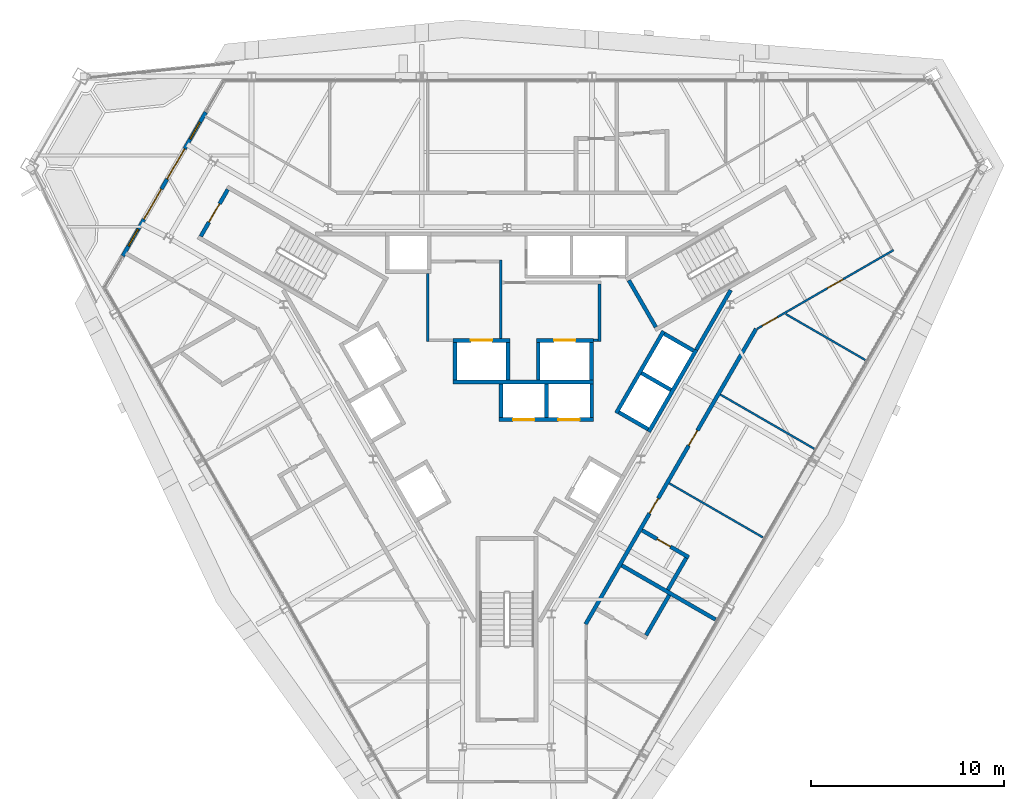
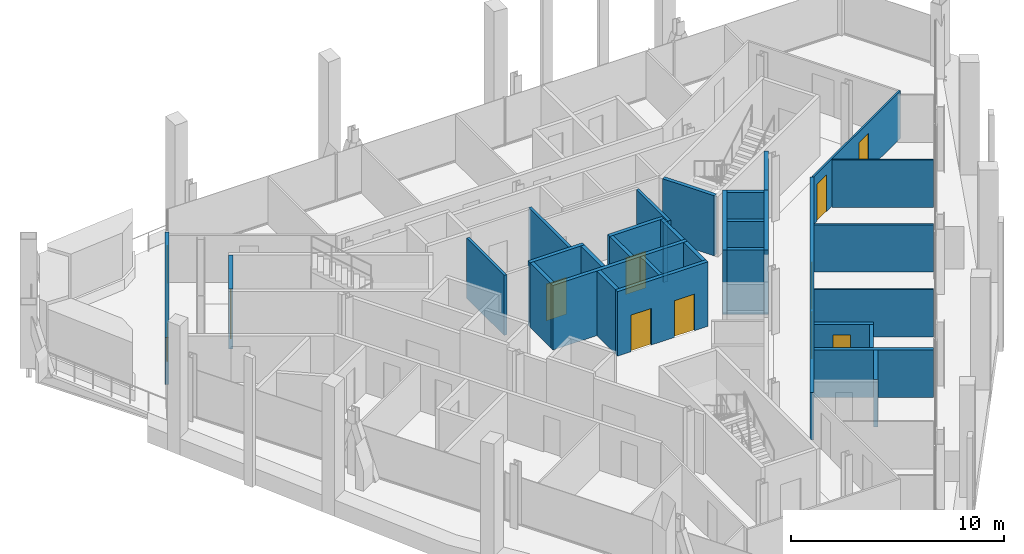
# One storey, part 10 of 14: 33 walls, 12 doors, 2 windows, 14 openings.
"""IFC4 building model written with IfcOpenShell, lengths in metres."""

from ifc_helpers import new_model, si_unit, direction, frame, frame_2d, origin, place, context, subcontext, project, spatial, rectangle, extrude, material, layer, layer_set, type_object, element, fill, save


model = new_model("IFC4")

# Units and contexts
model_context = context("Model", 3, precision=1e-05, world=origin(), true_north=direction((0.0, 1.0)))
body_context = subcontext(model_context, "Body", "Model", "MODEL_VIEW")
ifc_project = project(units=[si_unit("LENGTHUNIT", "METRE"), si_unit("AREAUNIT", "SQUARE_METRE"), si_unit("VOLUMEUNIT", "CUBIC_METRE"), si_unit("PLANEANGLEUNIT", "RADIAN"), si_unit("MASSUNIT", "GRAM", prefix="KILO")], contexts=[model_context])

# Site, building, storey
site_placement = place(None, origin())
site = spatial("IfcSite", under=ifc_project, at=site_placement, CompositionType="ELEMENT")
building_placement = place(site_placement, origin())
building = spatial("IfcBuilding", under=site, at=building_placement, Name="Verrane Prism Tower", CompositionType="ELEMENT")
storey_placement = place(building_placement, frame((0.0, 0.0, 228.60009765625)))
storey = spatial("IfcBuildingStorey", under=building, at=storey_placement, Name="L57", CompositionType="ELEMENT", Elevation=228.60009765625)

# Walls
ifc_material_1 = material(Name="Gypsum board partition", Category="other")
ifc_layer_1 = layer(ifc_material_1, 0.199951171875)
ifc_layer_set_1 = layer_set([ifc_layer_1], Name="CW-200 core boundary wall 2 h")
wall_type_1 = type_object("IfcWallType", Name="CW-200 core boundary wall 2 h", PredefinedType="PARTITIONING", material=ifc_layer_set_1)
wall_1_placement = place(storey_placement, frame((9.802978515625, 1.657958984375, 0.0), z_axis=(0.0, 0.0, 1.0), x_axis=(0.499943114462, 0.866058244174, 0.0)))
element("IfcWall", 1, at=wall_1_placement, inside=storey, type_object=wall_type_1, Name="Core boundary wall CW3-008", PredefinedType="PARTITIONING", context=body_context, shape_type="SweptSolid", body=[
    extrude(rectangle(XDim=3.57568359375, YDim=0.199951171875, at=frame_2d((1.787841796875, 0.0))), origin(), (0.0, 0.0, 1.0), 3.449951171875),
])
ifc_material_2 = material(Name="Concrete C40/50", Category="concrete")
ifc_layer_2 = layer(ifc_material_2, 0.199951171875)
ifc_layer_set_2 = layer_set([ifc_layer_2], Name="CW-200 stair core wall concrete C40/50 3 h")
wall_type_2 = type_object("IfcWallType", Name="CW-200 stair core wall concrete C40/50 3 h", PredefinedType="PARTITIONING", material=ifc_layer_set_2)
wall_2_placement = place(storey_placement, frame((7.71484375, 2.837646484375, 0.0), z_axis=(0.0, 0.0, 1.0), x_axis=(-0.500049511043, 0.865996816683, 0.0)))
element("IfcWall", 2, at=wall_2_placement, inside=storey, type_object=wall_type_2, Name="Stair 1 enclosure wall", PredefinedType="PARTITIONING", context=body_context, shape_type="SweptSolid", body=[
    extrude(rectangle(XDim=2.800048828125, YDim=0.199951171875, at=frame_2d((1.39990234375, 0.0))), origin(), (0.0, 0.0, 1.0), 3.449951171875),
])

# Wall, opening, door
wall_3_placement = place(storey_placement, frame((-14.455322265625, 9.96240234375, 0.0), z_axis=(0.0, 0.0, 1.0), x_axis=(-0.500049511043, -0.865996816683, 0.0)))
wall_3 = element("IfcWall", 3, at=wall_3_placement, inside=storey, type_object=wall_type_2, Name="Stair 2 enclosure wall", PredefinedType="PARTITIONING", context=body_context, shape_type="SweptSolid", body=[
    extrude(rectangle(XDim=2.800048828125, YDim=0.199951171875, at=frame_2d((1.39990234375, 0.0))), origin(), (0.0, 0.0, 1.0), 3.449951171875),
])
opening_1_placement = place(wall_3_placement, frame((0.849853515625, 0.0, 0.0)))
opening_1 = element("IfcOpeningElement", 4, at=opening_1_placement, cuts=wall_3, Name="Opening D57501", PredefinedType="OPENING", context=body_context, shape_type="SweptSolid", body=[
    extrude(rectangle(XDim=1.10009765625, YDim=2.10009765625, at=frame_2d((0.550048828125, 1.050048828125))), frame((0.0, 0.10986328125, 0.0), z_axis=(0.0, -1.0, 0.0), x_axis=(1.0, 0.0, 0.0)), (0.0, 0.0, 1.0), 0.219970703125),
])
ifc_material_3 = material(Name="Timber veneered door leaf", Category="wood")
door_type_1 = type_object("IfcDoorType", Name="DR-1100x2100 FD90 single leaf stair", OperationType="NOTDEFINED", PredefinedType="DOOR", material=ifc_material_3)
door_1_placement = place(opening_1_placement, origin())
door_1 = element("IfcDoor", 5, at=door_1_placement, inside=storey, type_object=door_type_1, Name="Stair 2 door", OperationType="SINGLE_SWING_RIGHT", OverallHeight=2.10009765625, OverallWidth=1.10009765625, PredefinedType="DOOR", context=body_context, shape_type="SweptSolid", body=[
    extrude(rectangle(XDim=1.10009765625, YDim=2.10009765625, at=frame_2d((0.550048828125, 1.050048828125))), frame((0.0, 0.02490234375, 0.0), z_axis=(0.0, -1.0, 0.0), x_axis=(1.0, 0.0, 0.0)), (0.0, 0.0, 1.0), 0.050048828125),
])
fill(opening_1, door_1)

# Wall, openings, doors, windows
ifc_material_4 = material(Name="Aluminium framed insulated glazing", Category="aluminium")
ifc_layer_3 = layer(ifc_material_4, 0.199951171875)
ifc_layer_set_3 = layer_set([ifc_layer_3], Name="Garden screen wall 200")
wall_type_3 = type_object("IfcWallType", Name="Garden screen wall 200", PredefinedType="SOLIDWALL", material=ifc_layer_set_3)
wall_4_placement = place(storey_placement, frame((-15.5966796875, 13.969970703125, 0.0), z_axis=(0.0, 0.0, 1.0), x_axis=(-0.500007509209, -0.866021068297, 0.0)))
wall_4 = element("IfcWall", 6, at=wall_4_placement, inside=storey, type_object=wall_type_3, Name="Garden screen wall L57", PredefinedType="SOLIDWALL", context=body_context, shape_type="SweptSolid", body=[
    extrude(rectangle(XDim=8.599853515625, YDim=0.199951171875, at=frame_2d((4.2998046875, 0.0))), origin(), (0.0, 0.0, 1.0), 2.712890625),
])
opening_2_placement = place(wall_4_placement, frame((0.60009765625, 0.0, 0.89990234375)))
opening_2 = element("IfcOpeningElement", 7, at=opening_2_placement, cuts=wall_4, Name="Opening W57701", PredefinedType="OPENING", context=body_context, shape_type="SweptSolid", body=[
    extrude(rectangle(XDim=1.0, YDim=1.5, at=frame_2d((0.5, 0.75))), frame((0.0, 0.10986328125, 0.0), z_axis=(0.0, -1.0, 0.0), x_axis=(1.0, 0.0, 0.0)), (0.0, 0.0, 1.0), 0.219970703125),
])
opening_3_placement = place(wall_4_placement, frame((2.199951171875, 0.0, 0.0)))
opening_3 = element("IfcOpeningElement", 8, at=opening_3_placement, cuts=wall_4, Name="Opening D57701", PredefinedType="OPENING", context=body_context, shape_type="SweptSolid", body=[
    extrude(rectangle(XDim=1.800048828125, YDim=2.39990234375, at=frame_2d((0.89990234375, 1.199951171875))), frame((0.0, 0.10986328125, 0.0), z_axis=(0.0, -1.0, 0.0), x_axis=(1.0, 0.0, 0.0)), (0.0, 0.0, 1.0), 0.219970703125),
])
opening_4_placement = place(wall_4_placement, frame((4.60009765625, 0.0, 0.0)))
opening_4 = element("IfcOpeningElement", 9, at=opening_4_placement, cuts=wall_4, Name="Opening D57702", PredefinedType="OPENING", context=body_context, shape_type="SweptSolid", body=[
    extrude(rectangle(XDim=1.800048828125, YDim=2.39990234375, at=frame_2d((0.89990234375, 1.199951171875))), frame((0.0, 0.10986328125, 0.0), z_axis=(0.0, -1.0, 0.0), x_axis=(1.0, 0.0, 0.0)), (0.0, 0.0, 1.0), 0.219970703125),
])
opening_5_placement = place(wall_4_placement, frame((7.0, 0.0, 0.89990234375)))
opening_5 = element("IfcOpeningElement", 10, at=opening_5_placement, cuts=wall_4, Name="Opening W57702", PredefinedType="OPENING", context=body_context, shape_type="SweptSolid", body=[
    extrude(rectangle(XDim=1.0, YDim=1.5, at=frame_2d((0.5, 0.75))), frame((0.0, 0.10986328125, 0.0), z_axis=(0.0, -1.0, 0.0), x_axis=(1.0, 0.0, 0.0)), (0.0, 0.0, 1.0), 0.219970703125),
])
ifc_material_5 = material(Name="Aluminium framed glazing", Category="aluminium")
door_type_2 = type_object("IfcDoorType", Name="DR-1800x2400 double glazed garden door", OperationType="DOUBLE_DOOR_SINGLE_SWING", PredefinedType="DOOR", material=ifc_material_5)
door_2_placement = place(opening_3_placement, frame((1.800048828125, 0.0, 0.0), z_axis=(0.0, 0.0, 1.0), x_axis=(-1.0, 0.0, 0.0)))
door_2 = element("IfcDoor", 11, at=door_2_placement, inside=storey, type_object=door_type_2, Name="Garden door D57701", OperationType="DOUBLE_DOOR_SINGLE_SWING", OverallHeight=2.39990234375, OverallWidth=1.800048828125, PredefinedType="DOOR", context=body_context, shape_type="SweptSolid", body=[
    extrude(rectangle(XDim=1.800048828125, YDim=2.39990234375, at=frame_2d((0.89990234375, 1.199951171875))), frame((0.0, 0.02490234375, 0.0), z_axis=(0.0, -1.0, 0.0), x_axis=(1.0, 0.0, 0.0)), (0.0, 0.0, 1.0), 0.050048828125),
])
fill(opening_3, door_2)
door_3_placement = place(opening_4_placement, frame((1.800048828125, 0.0, 0.0), z_axis=(0.0, 0.0, 1.0), x_axis=(-1.0, 0.0, 0.0)))
door_3 = element("IfcDoor", 12, at=door_3_placement, inside=storey, type_object=door_type_2, Name="Garden door D57702", OperationType="DOUBLE_DOOR_SINGLE_SWING", OverallHeight=2.39990234375, OverallWidth=1.800048828125, PredefinedType="DOOR", context=body_context, shape_type="SweptSolid", body=[
    extrude(rectangle(XDim=1.800048828125, YDim=2.39990234375, at=frame_2d((0.89990234375, 1.199951171875))), frame((0.0, 0.02490234375, 0.0), z_axis=(0.0, -1.0, 0.0), x_axis=(1.0, 0.0, 0.0)), (0.0, 0.0, 1.0), 0.050048828125),
])
fill(opening_4, door_3)
ifc_material_6 = material(Name="Aluminium framed glazing", Category="aluminium")
window_type = type_object("IfcWindowType", Name="Vent window 1000x1500 top hung", PartitioningType="SINGLE_PANEL", PredefinedType="WINDOW", material=ifc_material_6)
window_1_placement = place(opening_2_placement, origin())
window_1 = element("IfcWindow", 13, at=window_1_placement, inside=storey, type_object=window_type, Name="Vent window W57701", OverallHeight=1.5, OverallWidth=1.0, PartitioningType="SINGLE_PANEL", PredefinedType="WINDOW", context=body_context, shape_type="SweptSolid", body=[
    extrude(rectangle(XDim=1.0, YDim=1.5, at=frame_2d((0.5, 0.75))), frame((0.0, 0.030029296875, 0.0), z_axis=(0.0, -1.0, 0.0), x_axis=(1.0, 0.0, 0.0)), (0.0, 0.0, 1.0), 0.06005859375),
])
fill(opening_2, window_1)
window_2_placement = place(opening_5_placement, origin())
window_2 = element("IfcWindow", 14, at=window_2_placement, inside=storey, type_object=window_type, Name="Vent window W57702", OverallHeight=1.5, OverallWidth=1.0, PartitioningType="SINGLE_PANEL", PredefinedType="WINDOW", context=body_context, shape_type="SweptSolid", body=[
    extrude(rectangle(XDim=1.0, YDim=1.5, at=frame_2d((0.5, 0.75))), frame((0.0, 0.030029296875, 0.0), z_axis=(0.0, -1.0, 0.0), x_axis=(1.0, 0.0, 0.0)), (0.0, 0.0, 1.0), 0.06005859375),
])
fill(opening_5, window_2)

# Wall, openings, doors
ifc_material_7 = material(Name="Gypsum board shaft wall assembly", Category="other")
ifc_layer_4 = layer(ifc_material_7, 0.199951171875)
ifc_layer_set_4 = layer_set([ifc_layer_4], Name="HW-200 lift shaft wall 2 h")
wall_type_4 = type_object("IfcWallType", Name="HW-200 lift shaft wall 2 h", PredefinedType="PARTITIONING", material=ifc_layer_set_4)
wall_5_placement = place(storey_placement, frame((-0.405029296875, -1.949951171875, 0.0), z_axis=(0.0, 0.0, 1.0), x_axis=(1.0, 0.0, 0.0)))
wall_5 = element("IfcWall", 15, at=wall_5_placement, inside=storey, type_object=wall_type_4, Name="Lift shaft wall", PredefinedType="PARTITIONING", context=body_context, shape_type="SweptSolid", body=[
    extrude(rectangle(XDim=4.900146484375, YDim=0.199951171875, at=frame_2d((2.4501953125, 0.0))), origin(), (0.0, 0.0, 1.0), 3.699951171875),
])
opening_6_placement = place(wall_5_placement, frame((0.72509765625, 0.0, 0.0)))
opening_6 = element("IfcOpeningElement", 16, at=opening_6_placement, cuts=wall_5, Name="Opening D57503", PredefinedType="OPENING", context=body_context, shape_type="SweptSolid", body=[
    extrude(rectangle(XDim=1.10009765625, YDim=2.10009765625, at=frame_2d((0.550048828125, 1.050048828125))), frame((0.0, 0.10986328125, 0.0), z_axis=(0.0, -1.0, 0.0), x_axis=(1.0, 0.0, 0.0)), (0.0, 0.0, 1.0), 0.219970703125),
])
opening_7_placement = place(wall_5_placement, frame((3.074951171875, 0.0, 0.0)))
opening_7 = element("IfcOpeningElement", 17, at=opening_7_placement, cuts=wall_5, Name="Opening D57504", PredefinedType="OPENING", context=body_context, shape_type="SweptSolid", body=[
    extrude(rectangle(XDim=1.10009765625, YDim=2.10009765625, at=frame_2d((0.550048828125, 1.050048828125))), frame((0.0, 0.10986328125, 0.0), z_axis=(0.0, -1.0, 0.0), x_axis=(1.0, 0.0, 0.0)), (0.0, 0.0, 1.0), 0.219970703125),
])
ifc_material_8 = material(Name="Stainless steel sliding landing door", Category="steel")
door_type_3 = type_object("IfcDoorType", Name="LD-1100x2100 lift landing door FD90 sliding", OperationType="NOTDEFINED", PredefinedType="DOOR", material=ifc_material_8)
door_4_placement = place(opening_6_placement, origin())
door_4 = element("IfcDoor", 18, at=door_4_placement, inside=storey, type_object=door_type_3, Name="Bank B lift 1 landing door", OperationType="SLIDING_TO_LEFT", OverallHeight=2.10009765625, OverallWidth=1.10009765625, PredefinedType="DOOR", context=body_context, shape_type="SweptSolid", body=[
    extrude(rectangle(XDim=1.10009765625, YDim=2.10009765625, at=frame_2d((0.550048828125, 1.050048828125))), frame((0.0, 0.02490234375, 0.0), z_axis=(0.0, -1.0, 0.0), x_axis=(1.0, 0.0, 0.0)), (0.0, 0.0, 1.0), 0.050048828125),
])
fill(opening_6, door_4)
door_5_placement = place(opening_7_placement, origin())
door_5 = element("IfcDoor", 19, at=door_5_placement, inside=storey, type_object=door_type_3, Name="Bank B lift 2 landing door", OperationType="SLIDING_TO_RIGHT", OverallHeight=2.10009765625, OverallWidth=1.10009765625, PredefinedType="DOOR", context=body_context, shape_type="SweptSolid", body=[
    extrude(rectangle(XDim=1.10009765625, YDim=2.10009765625, at=frame_2d((0.550048828125, 1.050048828125))), frame((0.0, 0.02490234375, 0.0), z_axis=(0.0, -1.0, 0.0), x_axis=(1.0, 0.0, 0.0)), (0.0, 0.0, 1.0), 0.050048828125),
])
fill(opening_7, door_5)

# Wall
wall_6_placement = place(storey_placement, frame((-2.784912109375, 0.0, 0.0), z_axis=(0.0, 0.0, 1.0), x_axis=(1.0, 0.0, 0.0)))
element("IfcWall", 20, at=wall_6_placement, inside=storey, type_object=wall_type_4, Name="Lift shaft wall", PredefinedType="PARTITIONING", context=body_context, shape_type="SweptSolid", body=[
    extrude(rectangle(XDim=7.280029296875, YDim=0.199951171875, at=frame_2d((3.64013671875, 0.0))), origin(), (0.0, 0.0, 1.0), 3.699951171875),
])

# Wall, opening, door
wall_7_placement = place(storey_placement, frame((-2.784912109375, 2.14990234375, 0.0), z_axis=(0.0, 0.0, 1.0), x_axis=(1.0, 0.0, 0.0)))
wall_7 = element("IfcWall", 21, at=wall_7_placement, inside=storey, type_object=wall_type_4, Name="Lift shaft wall", PredefinedType="PARTITIONING", context=body_context, shape_type="SweptSolid", body=[
    extrude(rectangle(XDim=2.949951171875, YDim=0.199951171875, at=frame_2d((1.47509765625, 0.0))), origin(), (0.0, 0.0, 1.0), 3.699951171875),
])
opening_8_placement = place(wall_7_placement, frame((0.925048828125, 0.0, 0.0)))
opening_8 = element("IfcOpeningElement", 22, at=opening_8_placement, cuts=wall_7, Name="Opening D57507", PredefinedType="OPENING", context=body_context, shape_type="SweptSolid", body=[
    extrude(rectangle(XDim=1.10009765625, YDim=2.10009765625, at=frame_2d((0.550048828125, 1.050048828125))), frame((0.0, 0.10986328125, 0.0), z_axis=(0.0, -1.0, 0.0), x_axis=(1.0, 0.0, 0.0)), (0.0, 0.0, 1.0), 0.219970703125),
])
door_6_placement = place(opening_8_placement, origin())
door_6 = element("IfcDoor", 23, at=door_6_placement, inside=storey, type_object=door_type_3, Name="Fire service lift 1 landing door", OperationType="SLIDING_TO_LEFT", OverallHeight=2.10009765625, OverallWidth=1.10009765625, PredefinedType="DOOR", context=body_context, shape_type="SweptSolid", body=[
    extrude(rectangle(XDim=1.10009765625, YDim=2.10009765625, at=frame_2d((0.550048828125, 1.050048828125))), frame((0.0, 0.02490234375, 0.0), z_axis=(0.0, -1.0, 0.0), x_axis=(1.0, 0.0, 0.0)), (0.0, 0.0, 1.0), 0.050048828125),
])
fill(opening_8, door_6)

wall_8_placement = place(storey_placement, frame((1.52490234375, 2.14990234375, 0.0), z_axis=(0.0, 0.0, 1.0), x_axis=(1.0, 0.0, 0.0)))
wall_8 = element("IfcWall", 24, at=wall_8_placement, inside=storey, type_object=wall_type_4, Name="Lift shaft wall", PredefinedType="PARTITIONING", context=body_context, shape_type="SweptSolid", body=[
    extrude(rectangle(XDim=2.9501953125, YDim=0.199951171875, at=frame_2d((1.47509765625, 0.0))), origin(), (0.0, 0.0, 1.0), 3.699951171875),
])
opening_9_placement = place(wall_8_placement, frame((0.925048828125, 0.0, 0.0)))
opening_9 = element("IfcOpeningElement", 25, at=opening_9_placement, cuts=wall_8, Name="Opening D57508", PredefinedType="OPENING", context=body_context, shape_type="SweptSolid", body=[
    extrude(rectangle(XDim=1.10009765625, YDim=2.10009765625, at=frame_2d((0.550048828125, 1.050048828125))), frame((0.0, 0.10986328125, 0.0), z_axis=(0.0, -1.0, 0.0), x_axis=(1.0, 0.0, 0.0)), (0.0, 0.0, 1.0), 0.219970703125),
])
door_7_placement = place(opening_9_placement, origin())
door_7 = element("IfcDoor", 26, at=door_7_placement, inside=storey, type_object=door_type_3, Name="Fire service lift 2 landing door", OperationType="SLIDING_TO_RIGHT", OverallHeight=2.10009765625, OverallWidth=1.10009765625, PredefinedType="DOOR", context=body_context, shape_type="SweptSolid", body=[
    extrude(rectangle(XDim=1.10009765625, YDim=2.10009765625, at=frame_2d((0.550048828125, 1.050048828125))), frame((0.0, 0.02490234375, 0.0), z_axis=(0.0, -1.0, 0.0), x_axis=(1.0, 0.0, 0.0)), (0.0, 0.0, 1.0), 0.050048828125),
])
fill(opening_9, door_7)

# Walls
wall_9_placement = place(storey_placement, frame((7.351318359375, -2.587158203125, 0.0), z_axis=(0.0, 0.0, 1.0), x_axis=(0.500002801628, 0.866023786258, 0.0)))
element("IfcWall", 27, at=wall_9_placement, inside=storey, type_object=wall_type_4, Name="Lift shaft wall", PredefinedType="PARTITIONING", context=body_context, shape_type="SweptSolid", body=[
    extrude(rectangle(XDim=4.89990234375, YDim=0.199951171875, at=frame_2d((2.449951171875, 0.0))), origin(), (0.0, 0.0, 1.0), 3.699951171875),
])
wall_10_placement = place(storey_placement, frame((5.66259765625, -1.6123046875, 0.0), z_axis=(0.0, 0.0, 1.0), x_axis=(0.49998122708, 0.866036242063, 0.0)))
element("IfcWall", 28, at=wall_10_placement, inside=storey, type_object=wall_type_4, Name="Lift shaft wall", PredefinedType="PARTITIONING", context=body_context, shape_type="SweptSolid", body=[
    extrude(rectangle(XDim=4.900146484375, YDim=0.199951171875, at=frame_2d((2.4501953125, 0.0))), origin(), (0.0, 0.0, 1.0), 3.699951171875),
])
wall_11_placement = place(storey_placement, frame((4.39501953125, -1.85009765625, 0.0), z_axis=(0.0, 0.0, 1.0), x_axis=(0.0, 1.0, 0.0)))
element("IfcWall", 29, at=wall_11_placement, inside=storey, type_object=wall_type_4, Name="Lift shaft wall", PredefinedType="PARTITIONING", context=body_context, shape_type="SweptSolid", body=[
    extrude(rectangle(XDim=1.75, YDim=0.199951171875, at=frame_2d((0.875, 0.0))), origin(), (0.0, 0.0, 1.0), 3.699951171875),
])
wall_12_placement = place(storey_placement, frame((4.375, 0.10009765625, 0.0), z_axis=(0.0, 0.0, 1.0), x_axis=(0.0, 1.0, 0.0)))
element("IfcWall", 30, at=wall_12_placement, inside=storey, type_object=wall_type_4, Name="Lift shaft wall", PredefinedType="PARTITIONING", context=body_context, shape_type="SweptSolid", body=[
    extrude(rectangle(XDim=1.949951171875, YDim=0.199951171875, at=frame_2d((0.97509765625, 0.0))), origin(), (0.0, 0.0, 1.0), 3.699951171875),
])
wall_13_placement = place(storey_placement, frame((2.044921875, -1.85009765625, 0.0), z_axis=(0.0, 0.0, 1.0), x_axis=(0.0, 1.0, 0.0)))
element("IfcWall", 31, at=wall_13_placement, inside=storey, type_object=wall_type_4, Name="Lift shaft wall", PredefinedType="PARTITIONING", context=body_context, shape_type="SweptSolid", body=[
    extrude(rectangle(XDim=1.75, YDim=0.199951171875, at=frame_2d((0.875, 0.0))), origin(), (0.0, 0.0, 1.0), 3.699951171875),
])
for number, where, z_axis, x_axis, name in (
    (32, (1.625, 0.10009765625, 0.0), (0.0, 0.0, 1.0), (0.0, 1.0, 0.0), "Lift shaft wall"),
    (33, (0.06494140625, 0.10009765625, 0.0), (0.0, 0.0, 1.0), (0.0, 1.0, 0.0), "Lift shaft wall"),
):
    element("IfcWall", number, at=place(storey_placement, frame(where, z_axis=z_axis, x_axis=x_axis)), inside=storey, type_object=wall_type_4, Name=name, PredefinedType="PARTITIONING", context=body_context, shape_type="SweptSolid", body=[
        extrude(rectangle(XDim=1.949951171875, YDim=0.199951171875, at=frame_2d((0.97509765625, 0.0))), origin(), (0.0, 0.0, 1.0), 3.699951171875),
    ])
wall_14_placement = place(storey_placement, frame((-0.304931640625, -1.85009765625, 0.0), z_axis=(0.0, 0.0, 1.0), x_axis=(0.0, 1.0, 0.0)))
element("IfcWall", 34, at=wall_14_placement, inside=storey, type_object=wall_type_4, Name="Lift shaft wall", PredefinedType="PARTITIONING", context=body_context, shape_type="SweptSolid", body=[
    extrude(rectangle(XDim=1.75, YDim=0.199951171875, at=frame_2d((0.875, 0.0))), origin(), (0.0, 0.0, 1.0), 3.699951171875),
])
wall_15_placement = place(storey_placement, frame((-2.68505859375, 0.10009765625, 0.0), z_axis=(0.0, 0.0, 1.0), x_axis=(0.0, 1.0, 0.0)))
element("IfcWall", 35, at=wall_15_placement, inside=storey, type_object=wall_type_4, Name="Lift shaft wall", PredefinedType="PARTITIONING", context=body_context, shape_type="SweptSolid", body=[
    extrude(rectangle(XDim=1.949951171875, YDim=0.199951171875, at=frame_2d((0.97509765625, 0.0))), origin(), (0.0, 0.0, 1.0), 3.699951171875),
])
wall_16_placement = place(storey_placement, frame((9.66455078125, 1.61962890625, 0.0), z_axis=(0.0, 0.0, 1.0), x_axis=(-0.866002029911, 0.500040482552, 0.0)))
element("IfcWall", 36, at=wall_16_placement, inside=storey, type_object=wall_type_4, Name="Lift shaft wall", PredefinedType="PARTITIONING", context=body_context, shape_type="SweptSolid", body=[
    extrude(rectangle(XDim=1.749755859375, YDim=0.199951171875, at=frame_2d((0.875, 0.0))), origin(), (0.0, 0.0, 1.0), 3.699951171875),
])
for number, where, z_axis, x_axis, name in (
    (37, (8.48974609375, -0.41552734375, 0.0), (0.0, 0.0, 1.0), (-0.866036909293, 0.499980071345, 0.0), "Lift shaft wall"),
    (38, (7.314697265625, -2.45068359375, 0.0), (0.0, 0.0, 1.0), (-0.866036909293, 0.499980071345, 0.0), "Lift shaft wall"),
):
    element("IfcWall", number, at=place(storey_placement, frame(where, z_axis=z_axis, x_axis=x_axis)), inside=storey, type_object=wall_type_4, Name=name, PredefinedType="PARTITIONING", context=body_context, shape_type="SweptSolid", body=[
        extrude(rectangle(XDim=1.75, YDim=0.199951171875, at=frame_2d((0.875, 0.0))), origin(), (0.0, 0.0, 1.0), 3.699951171875),
    ])
ifc_material_9 = material(Name="Gypsum board partition", Category="other")
ifc_layer_5 = layer(ifc_material_9, 0.14990234375)
ifc_layer_set_5 = layer_set([ifc_layer_5], Name="LF-150 firefighting lobby wall 1 h")
wall_type_5 = type_object("IfcWallType", Name="LF-150 firefighting lobby wall 1 h", PredefinedType="PARTITIONING", material=ifc_layer_set_5)
wall_17_placement = place(storey_placement, frame((-4.10009765625, 2.0849609375, 0.0), z_axis=(0.0, 0.0, 1.0), x_axis=(0.0, 1.0, 0.0)))
element("IfcWall", 39, at=wall_17_placement, inside=storey, type_object=wall_type_5, Name="Firefighting lobby wall LF1-001", PredefinedType="PARTITIONING", context=body_context, shape_type="SweptSolid", body=[
    extrude(rectangle(XDim=3.52294921875, YDim=0.14990234375, at=frame_2d((1.761474609375, 0.0))), origin(), (0.0, 0.0, 1.0), 3.449951171875),
])
wall_18_placement = place(storey_placement, frame((-0.320068359375, 2.251953125, 0.0), z_axis=(0.0, 0.0, 1.0), x_axis=(0.0, 1.0, 0.0)))
element("IfcWall", 40, at=wall_18_placement, inside=storey, type_object=wall_type_5, Name="Firefighting lobby wall LF1-004", PredefinedType="PARTITIONING", context=body_context, shape_type="SweptSolid", body=[
    extrude(rectangle(XDim=4.06298828125, YDim=0.14990234375, at=frame_2d((2.031494140625, 0.0))), origin(), (0.0, 0.0, 1.0), 3.449951171875),
])
wall_19_placement = place(storey_placement, frame((4.47705078125, 2.159912109375, 0.0), z_axis=(0.0, 0.0, 1.0), x_axis=(1.0, 0.0, 0.0)))
element("IfcWall", 41, at=wall_19_placement, inside=storey, type_object=wall_type_5, Name="Firefighting lobby wall LF1-006", PredefinedType="PARTITIONING", context=body_context, shape_type="SweptSolid", body=[
    extrude(rectangle(XDim=0.238037109375, YDim=0.14990234375, at=frame_2d((0.119140625, 0.0))), origin(), (0.0, 0.0, 1.0), 3.449951171875),
])
wall_20_placement = place(storey_placement, frame((4.7900390625, 2.0849609375, 0.0), z_axis=(0.0, 0.0, 1.0), x_axis=(0.0, 1.0, 0.0)))
element("IfcWall", 42, at=wall_20_placement, inside=storey, type_object=wall_type_5, Name="Firefighting lobby wall LF1-007", PredefinedType="PARTITIONING", context=body_context, shape_type="SweptSolid", body=[
    extrude(rectangle(XDim=2.97998046875, YDim=0.14990234375, at=frame_2d((1.489990234375, 0.0))), origin(), (0.0, 0.0, 1.0), 3.449951171875),
])
ifc_material_10 = material(Name="Gypsum board partition", Category="other")
ifc_layer_6 = layer(ifc_material_10, 0.10009765625)
ifc_layer_set_6 = layer_set([ifc_layer_6], Name="PW-100 room partition")
wall_type_6 = type_object("IfcWallType", Name="PW-100 room partition", PredefinedType="PARTITIONING", material=ifc_layer_set_6)
wall_21_placement = place(storey_placement, frame((8.406982421875, -5.25146484375, 0.0), z_axis=(0.0, 0.0, 1.0), x_axis=(0.866061432277, -0.499937591627, 0.0)))
element("IfcWall", 43, at=wall_21_placement, inside=storey, type_object=wall_type_6, Name="Room partition 034", PredefinedType="PARTITIONING", context=body_context, shape_type="SweptSolid", body=[
    extrude(rectangle(XDim=5.599365234375, YDim=0.10009765625, at=frame_2d((2.7998046875, 0.0))), origin(), (0.0, 0.0, 1.0), 2.712890625),
])
wall_22_placement = place(storey_placement, frame((11.058837890625, -0.657470703125, 0.0), z_axis=(0.0, 0.0, 1.0), x_axis=(0.866064348871, -0.499932539064, 0.0)))
element("IfcWall", 44, at=wall_22_placement, inside=storey, type_object=wall_type_6, Name="Room partition 036", PredefinedType="PARTITIONING", context=body_context, shape_type="SweptSolid", body=[
    extrude(rectangle(XDim=5.599853515625, YDim=0.10009765625, at=frame_2d((2.7998046875, 0.0))), origin(), (0.0, 0.0, 1.0), 2.712890625),
])

# Wall, openings, doors
wall_23_placement = place(storey_placement, frame((20.023193359375, 6.825927734375, 0.0), z_axis=(0.0, 0.0, 1.0), x_axis=(-0.86608949446, -0.499888975259, 0.0)))
wall_23 = element("IfcWall", 45, at=wall_23_placement, inside=storey, type_object=wall_type_6, Name="Room partition 038", PredefinedType="PARTITIONING", context=body_context, shape_type="SweptSolid", body=[
    extrude(rectangle(XDim=8.164794921875, YDim=0.10009765625, at=frame_2d((4.08251953125, 0.0))), origin(), (0.0, 0.0, 1.0), 2.712890625),
])
opening_10_placement = place(wall_23_placement, frame((6.949951171875, 0.0, 0.0)))
opening_10 = element("IfcOpeningElement", 46, at=opening_10_placement, cuts=wall_23, Name="Opening D57025", PredefinedType="OPENING", context=body_context, shape_type="SweptSolid", body=[
    extrude(rectangle(XDim=0.89990234375, YDim=2.10009765625, at=frame_2d((0.449951171875, 1.050048828125))), frame((0.0, 0.06005859375, 0.0), z_axis=(0.0, -1.0, 0.0), x_axis=(1.0, 0.0, 0.0)), (0.0, 0.0, 1.0), 0.1201171875),
])
opening_11_placement = place(wall_23_placement, frame((3.034912109375, 0.0, 0.0)))
opening_11 = element("IfcOpeningElement", 47, at=opening_11_placement, cuts=wall_23, Name="Opening D57026", PredefinedType="OPENING", context=body_context, shape_type="SweptSolid", body=[
    extrude(rectangle(XDim=0.89990234375, YDim=2.10009765625, at=frame_2d((0.449951171875, 1.050048828125))), frame((0.0, 0.06005859375, 0.0), z_axis=(0.0, -1.0, 0.0), x_axis=(1.0, 0.0, 0.0)), (0.0, 0.0, 1.0), 0.1201171875),
])
ifc_material_11 = material(Name="Timber veneered door leaf", Category="wood")
door_type_4 = type_object("IfcDoorType", Name="DR-900x2100 single leaf unit", OperationType="NOTDEFINED", PredefinedType="DOOR", material=ifc_material_11)
door_8_placement = place(opening_10_placement, origin())
door_8 = element("IfcDoor", 48, at=door_8_placement, inside=storey, type_object=door_type_4, Name="Study door", OperationType="SINGLE_SWING_RIGHT", OverallHeight=2.10009765625, OverallWidth=0.89990234375, PredefinedType="DOOR", context=body_context, shape_type="SweptSolid", body=[
    extrude(rectangle(XDim=0.89990234375, YDim=2.10009765625, at=frame_2d((0.449951171875, 1.050048828125))), frame((0.0, 0.02490234375, 0.0), z_axis=(0.0, -1.0, 0.0), x_axis=(1.0, 0.0, 0.0)), (0.0, 0.0, 1.0), 0.050048828125),
])
fill(opening_10, door_8)
door_9_placement = place(opening_11_placement, origin())
door_9 = element("IfcDoor", 49, at=door_9_placement, inside=storey, type_object=door_type_4, Name="Study door", OperationType="SINGLE_SWING_LEFT", OverallHeight=2.10009765625, OverallWidth=0.89990234375, PredefinedType="DOOR", context=body_context, shape_type="SweptSolid", body=[
    extrude(rectangle(XDim=0.89990234375, YDim=2.10009765625, at=frame_2d((0.449951171875, 1.050048828125))), frame((0.0, 0.02490234375, 0.0), z_axis=(0.0, -1.0, 0.0), x_axis=(1.0, 0.0, 0.0)), (0.0, 0.0, 1.0), 0.050048828125),
])
fill(opening_11, door_9)

# Wall
wall_24_placement = place(storey_placement, frame((14.43798828125, 3.5166015625, 0.0), z_axis=(0.0, 0.0, 1.0), x_axis=(0.866006230416, -0.500033207779, 0.0)))
element("IfcWall", 50, at=wall_24_placement, inside=storey, type_object=wall_type_6, Name="Room partition 039", PredefinedType="PARTITIONING", context=body_context, shape_type="SweptSolid", body=[
    extrude(rectangle(XDim=4.760498046875, YDim=0.10009765625, at=frame_2d((2.38037109375, 0.0))), origin(), (0.0, 0.0, 1.0), 2.712890625),
])

# Wall, openings, doors
ifc_material_12 = material(Name="Gypsum board partition", Category="other")
ifc_layer_7 = layer(ifc_material_12, 0.199951171875)
ifc_layer_set_7 = layer_set([ifc_layer_7], Name="PW-200 plumbing wall")
wall_type_7 = type_object("IfcWallType", Name="PW-200 plumbing wall", PredefinedType="PARTITIONING", material=ifc_layer_set_7)
wall_25_placement = place(storey_placement, frame((12.903076171875, 2.745361328125, 0.0), z_axis=(0.0, 0.0, 1.0), x_axis=(-0.499999743747, -0.866025551732, 0.0)))
wall_25 = element("IfcWall", 51, at=wall_25_placement, inside=storey, type_object=wall_type_7, Name="Plumbing wall 025", PredefinedType="PARTITIONING", context=body_context, shape_type="SweptSolid", body=[
    extrude(rectangle(XDim=17.65625, YDim=0.199951171875, at=frame_2d((8.828125, 0.0))), origin(), (0.0, 0.0, 1.0), 2.712890625),
])
opening_12_placement = place(wall_25_placement, frame((10.134033203125, 0.0, 0.0)))
opening_12 = element("IfcOpeningElement", 52, at=opening_12_placement, cuts=wall_25, Name="Opening D57022", PredefinedType="OPENING", context=body_context, shape_type="SweptSolid", body=[
    extrude(rectangle(XDim=0.89990234375, YDim=2.10009765625, at=frame_2d((0.449951171875, 1.050048828125))), frame((0.0, 0.10986328125, 0.0), z_axis=(0.0, -1.0, 0.0), x_axis=(1.0, 0.0, 0.0)), (0.0, 0.0, 1.0), 0.219970703125),
])
opening_13_placement = place(wall_25_placement, frame((6.072998046875, 0.0, 0.0)))
opening_13 = element("IfcOpeningElement", 53, at=opening_13_placement, cuts=wall_25, Name="Opening D57024", PredefinedType="OPENING", context=body_context, shape_type="SweptSolid", body=[
    extrude(rectangle(XDim=0.89990234375, YDim=2.10009765625, at=frame_2d((0.449951171875, 1.050048828125))), frame((0.0, 0.10986328125, 0.0), z_axis=(0.0, -1.0, 0.0), x_axis=(1.0, 0.0, 0.0)), (0.0, 0.0, 1.0), 0.219970703125),
])
ifc_material_13 = material(Name="Timber veneered door leaf", Category="wood")
door_type_5 = type_object("IfcDoorType", Name="DR-900x2100 single leaf inner", OperationType="NOTDEFINED", PredefinedType="DOOR", material=ifc_material_13)
door_10_placement = place(opening_12_placement, origin())
door_10 = element("IfcDoor", 54, at=door_10_placement, inside=storey, type_object=door_type_5, Name="Bedroom door", OperationType="SINGLE_SWING_LEFT", OverallHeight=2.10009765625, OverallWidth=0.89990234375, PredefinedType="DOOR", context=body_context, shape_type="SweptSolid", body=[
    extrude(rectangle(XDim=0.89990234375, YDim=2.10009765625, at=frame_2d((0.449951171875, 1.050048828125))), frame((0.0, 0.02490234375, 0.0), z_axis=(0.0, -1.0, 0.0), x_axis=(1.0, 0.0, 0.0)), (0.0, 0.0, 1.0), 0.050048828125),
])
fill(opening_12, door_10)
door_11_placement = place(opening_13_placement, origin())
door_11 = element("IfcDoor", 55, at=door_11_placement, inside=storey, type_object=door_type_4, Name="Study door", OperationType="SINGLE_SWING_LEFT", OverallHeight=2.10009765625, OverallWidth=0.89990234375, PredefinedType="DOOR", context=body_context, shape_type="SweptSolid", body=[
    extrude(rectangle(XDim=0.89990234375, YDim=2.10009765625, at=frame_2d((0.449951171875, 1.050048828125))), frame((0.0, 0.02490234375, 0.0), z_axis=(0.0, -1.0, 0.0), x_axis=(1.0, 0.0, 0.0)), (0.0, 0.0, 1.0), 0.050048828125),
])
fill(opening_13, door_11)

# Wall
wall_26_placement = place(storey_placement, frame((5.947509765625, -9.501953125, 0.0), z_axis=(0.0, 0.0, 1.0), x_axis=(0.866028157966, -0.499995229588, 0.0)))
element("IfcWall", 56, at=wall_26_placement, inside=storey, type_object=wall_type_7, Name="Plumbing wall 029", PredefinedType="PARTITIONING", context=body_context, shape_type="SweptSolid", body=[
    extrude(rectangle(XDim=5.60400390625, YDim=0.199951171875, at=frame_2d((2.802001953125, 0.0))), origin(), (0.0, 0.0, 1.0), 2.712890625),
])

# Wall, opening, door
wall_27_placement = place(storey_placement, frame((9.422607421875, -9.0830078125, 0.0), z_axis=(0.0, 0.0, 1.0), x_axis=(-0.866041588165, 0.499971966783, 0.0)))
wall_27 = element("IfcWall", 57, at=wall_27_placement, inside=storey, type_object=wall_type_7, Name="Plumbing wall 030", PredefinedType="PARTITIONING", context=body_context, shape_type="SweptSolid", body=[
    extrude(rectangle(XDim=2.795166015625, YDim=0.199951171875, at=frame_2d((1.3974609375, 0.0))), origin(), (0.0, 0.0, 1.0), 2.712890625),
])
opening_14_placement = place(wall_27_placement, frame((1.10009765625, 0.0, 0.0)))
opening_14 = element("IfcOpeningElement", 58, at=opening_14_placement, cuts=wall_27, Name="Opening D57023", PredefinedType="OPENING", context=body_context, shape_type="SweptSolid", body=[
    extrude(rectangle(XDim=0.800048828125, YDim=2.10009765625, at=frame_2d((0.39990234375, 1.050048828125))), frame((0.0, 0.10986328125, 0.0), z_axis=(0.0, -1.0, 0.0), x_axis=(1.0, 0.0, 0.0)), (0.0, 0.0, 1.0), 0.219970703125),
])
ifc_material_14 = material(Name="Timber veneered door leaf", Category="wood")
door_type_6 = type_object("IfcDoorType", Name="DR-800x2100 single leaf bath", OperationType="NOTDEFINED", PredefinedType="DOOR", material=ifc_material_14)
door_12_placement = place(opening_14_placement, origin())
door_12 = element("IfcDoor", 59, at=door_12_placement, inside=storey, type_object=door_type_6, Name="Bathroom door", OperationType="SINGLE_SWING_RIGHT", OverallHeight=2.10009765625, OverallWidth=0.800048828125, PredefinedType="DOOR", context=body_context, shape_type="SweptSolid", body=[
    extrude(rectangle(XDim=0.800048828125, YDim=2.10009765625, at=frame_2d((0.39990234375, 1.050048828125))), frame((0.0, 0.02490234375, 0.0), z_axis=(0.0, -1.0, 0.0), x_axis=(1.0, 0.0, 0.0)), (0.0, 0.0, 1.0), 0.050048828125),
])
fill(opening_14, door_12)

# Walls
wall_28_placement = place(storey_placement, frame((7.208984375, -13.117431640625, 0.0), z_axis=(0.0, 0.0, 1.0), x_axis=(0.499913221443, 0.866075499611, 0.0)))
element("IfcWall", 60, at=wall_28_placement, inside=storey, type_object=wall_type_7, Name="Plumbing wall 031", PredefinedType="PARTITIONING", context=body_context, shape_type="SweptSolid", body=[
    extrude(rectangle(XDim=2.400390625, YDim=0.199951171875, at=frame_2d((1.2001953125, 0.0))), origin(), (0.0, 0.0, 1.0), 2.712890625),
])
wall_29_placement = place(storey_placement, frame((8.3359375, -10.765380859375, 0.0), z_axis=(0.0, 0.0, 1.0), x_axis=(0.499911523785, 0.866076479525, 0.0)))
element("IfcWall", 61, at=wall_29_placement, inside=storey, type_object=wall_type_7, Name="Plumbing wall 032", PredefinedType="PARTITIONING", context=body_context, shape_type="SweptSolid", body=[
    extrude(rectangle(XDim=1.900146484375, YDim=0.199951171875, at=frame_2d((0.9501953125, 0.0))), origin(), (0.0, 0.0, 1.0), 2.712890625),
])

save(model, "model.ifc")
